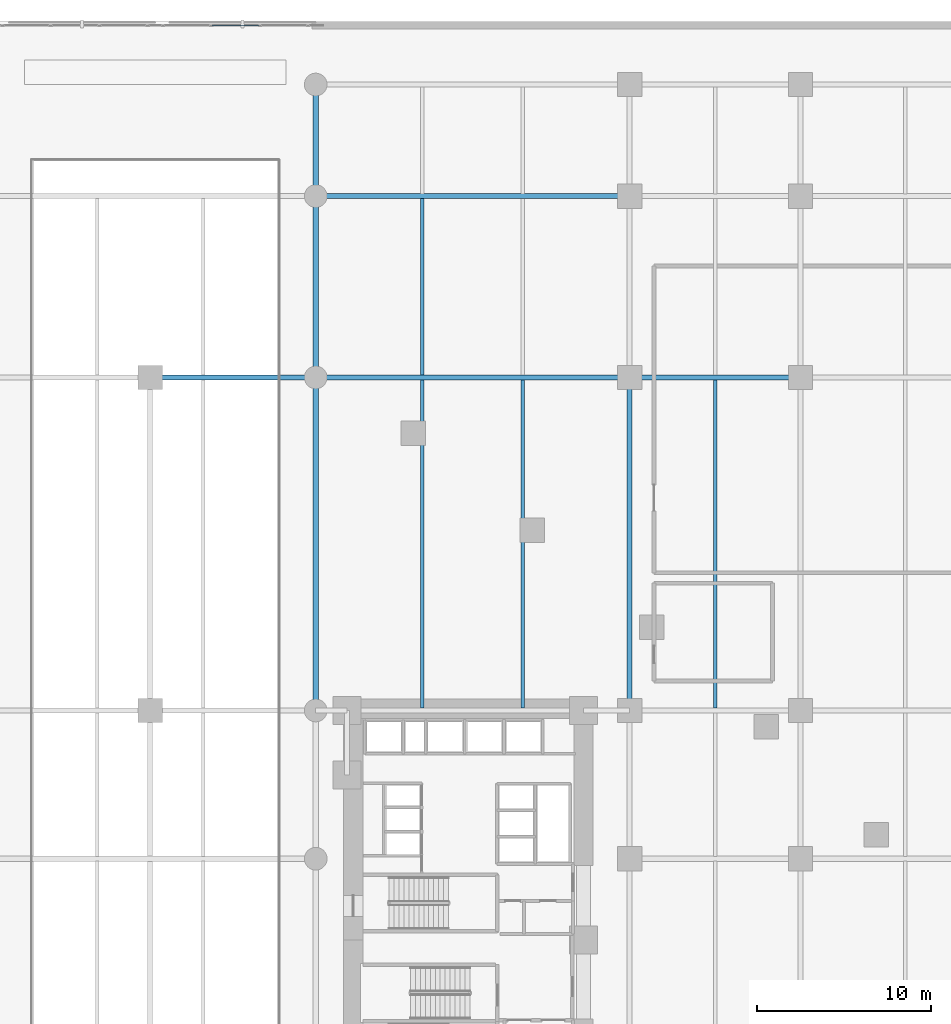
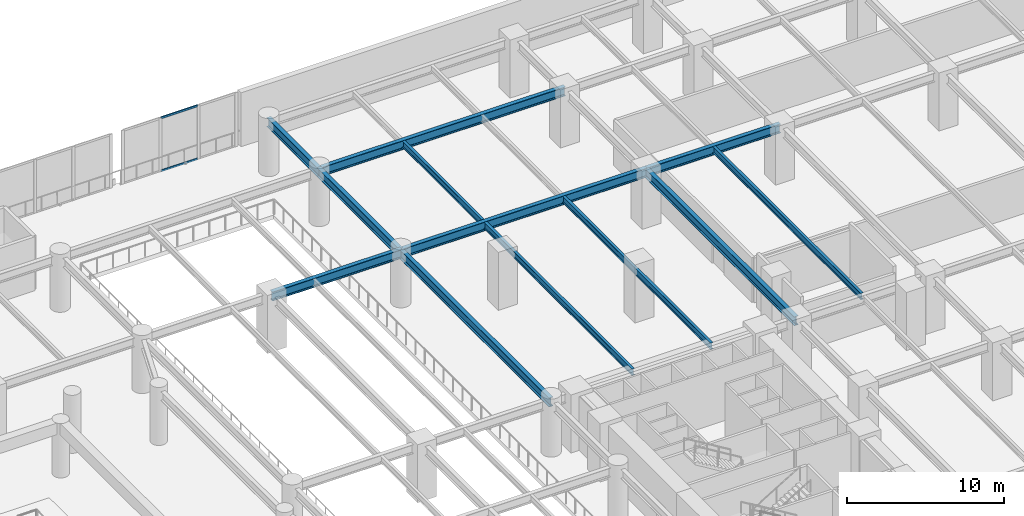
# One storey, part 8 of 32: 12 beams, 2 members, 1 element without a shape of its own.
"""IFC4 building model written with IfcOpenShell, lengths in metres."""

from ifc_helpers import new_model, si_unit, direction, frame, origin, origin_2d, place, context, subcontext, project, spatial, hollow_rectangle, i_section, extrude, material, material_profile, profile_set, type_object, element, aggregate, save


model = new_model("IFC4")

# Units and contexts
model_context = context("Model", 3, precision=1e-05, world=origin(), true_north=direction((0.0, 1.0)))
body_context = subcontext(model_context, "Body", "Model", "MODEL_VIEW")
ifc_project = project(units=[si_unit("LENGTHUNIT", "METRE"), si_unit("AREAUNIT", "SQUARE_METRE"), si_unit("VOLUMEUNIT", "CUBIC_METRE"), si_unit("PLANEANGLEUNIT", "RADIAN"), si_unit("MASSUNIT", "GRAM", prefix="KILO")], contexts=[model_context])

# Site, building, storey
site_placement = place(None, origin())
site = spatial("IfcSite", under=ifc_project, at=site_placement, CompositionType="ELEMENT")
building_placement = place(site_placement, origin())
building = spatial("IfcBuilding", under=site, at=building_placement, Name="Narakoshi Arena Tower", CompositionType="ELEMENT")
storey_placement = place(building_placement, frame((0.0, 0.0, 4.5)))
storey = spatial("IfcBuildingStorey", under=building, at=storey_placement, Name="L01", CompositionType="ELEMENT", Elevation=4.5)

# Beams
ifc_material_1 = material(Name="Structural steel S355J2", Category="steel")
ifc_material_profile_1 = material_profile(ifc_material_1, i_section(OverallWidth=0.300048828125, OverallDepth=0.699951171875, WebThickness=0.01708984375, FlangeThickness=0.031982421875, FilletRadius=0.027099609375, at=origin_2d()), Name="HE700B")
ifc_profile_set_1 = profile_set([ifc_material_profile_1], Name="Structural steel S355J2")
beam_type_1 = type_object("IfcBeamType", Name="BM-PRI-700", PredefinedType="BEAM", material=ifc_profile_set_1)
beam_1_placement = place(storey_placement, frame((60.699951171875, 75.60009765625, 3.830078125), z_axis=(1.0, 0.0, 0.0), x_axis=(0.0, 1.0, 0.0)))
element("IfcBeam", 1, at=beam_1_placement, inside=storey, type_object=beam_type_1, Name="L01 Podium Primary X-Girder 048", PredefinedType="BEAM", context=body_context, shape_type="SweptSolid", body=[
    extrude(i_section(OverallWidth=0.300048828125, OverallDepth=0.699951171875, WebThickness=0.01708984375, FlangeThickness=0.031982421875, FilletRadius=0.027099609375, at=origin_2d()), origin(), (0.0, 0.0, 1.0), 9.5),
])
beam_2_placement = place(storey_placement, frame((70.199951171875, 75.60009765625, 3.830078125), z_axis=(1.0, 0.0, 0.0), x_axis=(0.0, 1.0, 0.0)))
element("IfcBeam", 2, at=beam_2_placement, inside=storey, type_object=beam_type_1, Name="L01 Podium Primary X-Girder 049", PredefinedType="BEAM", context=body_context, shape_type="SweptSolid", body=[
    extrude(i_section(OverallWidth=0.300048828125, OverallDepth=0.699951171875, WebThickness=0.01708984375, FlangeThickness=0.031982421875, FilletRadius=0.027099609375, at=origin_2d()), origin(), (0.0, 0.0, 1.0), 18.0),
])
beam_3_placement = place(storey_placement, frame((88.199951171875, 75.60009765625, 3.830078125), z_axis=(1.0, 0.0, 0.0), x_axis=(0.0, 1.0, 0.0)))
element("IfcBeam", 3, at=beam_3_placement, inside=storey, type_object=beam_type_1, Name="L01 Podium Primary X-Girder 050", PredefinedType="BEAM", context=body_context, shape_type="SweptSolid", body=[
    extrude(i_section(OverallWidth=0.300048828125, OverallDepth=0.699951171875, WebThickness=0.01708984375, FlangeThickness=0.031982421875, FilletRadius=0.027099609375, at=origin_2d()), origin(), (0.0, 0.0, 1.0), 9.800048828125),
])
beam_4_placement = place(storey_placement, frame((70.199951171875, 86.0, 3.830078125), z_axis=(1.0, 0.0, 0.0), x_axis=(0.0, 1.0, 0.0)))
element("IfcBeam", 4, at=beam_4_placement, inside=storey, type_object=beam_type_1, Name="L01 Podium Primary X-Girder 058", PredefinedType="BEAM", context=body_context, shape_type="SweptSolid", body=[
    extrude(i_section(OverallWidth=0.300048828125, OverallDepth=0.699951171875, WebThickness=0.01708984375, FlangeThickness=0.031982421875, FilletRadius=0.027099609375, at=origin_2d()), origin(), (0.0, 0.0, 1.0), 18.0),
])
beam_5_placement = place(storey_placement, frame((70.199951171875, 56.5, 3.830078125), z_axis=(0.0, 1.0, 0.0), x_axis=(-1.0, 0.0, 0.0)))
element("IfcBeam", 5, at=beam_5_placement, inside=storey, type_object=beam_type_1, Name="L01 Podium Primary Y-Girder 094", PredefinedType="BEAM", context=body_context, shape_type="SweptSolid", body=[
    extrude(i_section(OverallWidth=0.300048828125, OverallDepth=0.699951171875, WebThickness=0.01708984375, FlangeThickness=0.031982421875, FilletRadius=0.027099609375, at=origin_2d()), origin(), (0.0, 0.0, 1.0), 19.10009765625),
])
beam_6_placement = place(storey_placement, frame((70.199951171875, 75.60009765625, 3.830078125), z_axis=(0.0, 1.0, 0.0), x_axis=(-1.0, 0.0, 0.0)))
element("IfcBeam", 6, at=beam_6_placement, inside=storey, type_object=beam_type_1, Name="L01 Podium Primary Y-Girder 095", PredefinedType="BEAM", context=body_context, shape_type="SweptSolid", body=[
    extrude(i_section(OverallWidth=0.300048828125, OverallDepth=0.699951171875, WebThickness=0.01708984375, FlangeThickness=0.031982421875, FilletRadius=0.027099609375, at=origin_2d()), origin(), (0.0, 0.0, 1.0), 10.39990234375),
])
beam_7_placement = place(storey_placement, frame((70.199951171875, 86.0, 3.830078125), z_axis=(0.0, 1.0, 0.0), x_axis=(-1.0, 0.0, 0.0)))
element("IfcBeam", 7, at=beam_7_placement, inside=storey, type_object=beam_type_1, Name="L01 Podium Primary Y-Girder 096", PredefinedType="BEAM", context=body_context, shape_type="SweptSolid", body=[
    extrude(i_section(OverallWidth=0.300048828125, OverallDepth=0.699951171875, WebThickness=0.01708984375, FlangeThickness=0.031982421875, FilletRadius=0.027099609375, at=origin_2d()), origin(), (0.0, 0.0, 1.0), 6.39990234375),
])
beam_8_placement = place(storey_placement, frame((88.199951171875, 56.5, 3.830078125), z_axis=(0.0, 1.0, 0.0), x_axis=(-1.0, 0.0, 0.0)))
element("IfcBeam", 8, at=beam_8_placement, inside=storey, type_object=beam_type_1, Name="L01 Podium Primary Y-Girder 103", PredefinedType="BEAM", context=body_context, shape_type="SweptSolid", body=[
    extrude(i_section(OverallWidth=0.300048828125, OverallDepth=0.699951171875, WebThickness=0.01708984375, FlangeThickness=0.031982421875, FilletRadius=0.027099609375, at=origin_2d()), origin(), (0.0, 0.0, 1.0), 19.10009765625),
])
ifc_material_profile_2 = material_profile(ifc_material_1, i_section(OverallWidth=0.199951171875, OverallDepth=0.5, WebThickness=0.01025390625, FlangeThickness=0.01611328125, FilletRadius=0.02099609375, at=origin_2d()), Name="IPE500")
ifc_profile_set_2 = profile_set([ifc_material_profile_2], Name="Structural steel S355J2")
beam_type_2 = type_object("IfcBeamType", Name="BM-SEC-500", PredefinedType="JOIST", material=ifc_profile_set_2)
beam_9_placement = place(storey_placement, frame((76.320068359375, 56.635009765625, 3.929931640625), z_axis=(0.0, 1.0, 0.0), x_axis=(-1.0, 0.0, 0.0)))
element("IfcBeam", 9, at=beam_9_placement, inside=storey, type_object=beam_type_2, Name="L01 Podium Composite Floor Joist 023", PredefinedType="JOIST", context=body_context, shape_type="SweptSolid", body=[
    extrude(i_section(OverallWidth=0.199951171875, OverallDepth=0.5, WebThickness=0.01025390625, FlangeThickness=0.01611328125, FilletRadius=0.02099609375, at=origin_2d()), origin(), (0.0, 0.0, 1.0), 18.830078125),
])
beam_10_placement = place(storey_placement, frame((76.320068359375, 75.735107421875, 3.929931640625), z_axis=(0.0, 1.0, 0.0), x_axis=(-1.0, 0.0, 0.0)))
element("IfcBeam", 10, at=beam_10_placement, inside=storey, type_object=beam_type_2, Name="L01 Podium Composite Floor Joist 024", PredefinedType="JOIST", context=body_context, shape_type="SweptSolid", body=[
    extrude(i_section(OverallWidth=0.199951171875, OverallDepth=0.5, WebThickness=0.01025390625, FlangeThickness=0.01611328125, FilletRadius=0.02099609375, at=origin_2d()), origin(), (0.0, 0.0, 1.0), 10.1298828125),
])
for number, where, z_axis, x_axis, name in (
    (11, (82.080078125, 56.635009765625, 3.929931640625), (0.0, 1.0, 0.0), (-1.0, 0.0, 0.0), "L01 Podium Composite Floor Joist 028"),
    (12, (93.10009765625, 56.635009765625, 3.929931640625), (0.0, 1.0, 0.0), (-1.0, 0.0, 0.0), "L01 Podium Composite Floor Joist 036"),
):
    element("IfcBeam", number, at=place(storey_placement, frame(where, z_axis=z_axis, x_axis=x_axis)), inside=storey, type_object=beam_type_2, Name=name, PredefinedType="JOIST", context=body_context, shape_type="SweptSolid", body=[
        extrude(i_section(OverallWidth=0.199951171875, OverallDepth=0.5, WebThickness=0.01025390625, FlangeThickness=0.01611328125, FilletRadius=0.02099609375, at=origin_2d()), origin(), (0.0, 0.0, 1.0), 18.830078125),
    ])

# Curtain wall, members
ifc_material_2 = material(Name="Anodised bronze aluminium 6063-T6", Category="aluminium")
curtain_wall_type = type_object("IfcCurtainWallType", Name="CW-POD-CONC", PredefinedType="NOTDEFINED", material=ifc_material_2)
curtain_wall_placement = place(storey_placement, origin())
curtain_wall = element("IfcCurtainWall", 13, at=curtain_wall_placement, inside=storey, type_object=curtain_wall_type, Name="L01 Street Concourse Curtain Wall CN1", PredefinedType="NOTDEFINED")
ifc_material_profile_3 = material_profile(ifc_material_2, hollow_rectangle(XDim=0.070068359375, YDim=0.159912109375, WallThickness=0.00390625, OuterFilletRadius=0.0048828125, at=origin_2d()), Name="TRN160x70x4")
ifc_profile_set_3 = profile_set([ifc_material_profile_3], Name="Anodised bronze aluminium 6063-T6")
member_type = type_object("IfcMemberType", Name="MEM-TRN-160", PredefinedType="USERDEFINED", material=ifc_profile_set_3)
member_1_placement = place(storey_placement, frame((66.9599609375, 95.7900390625, 0.034912109375), z_axis=(-1.0, 0.0, 0.0), x_axis=(0.0, -1.0, 0.0)))
member_1 = element("IfcMember", 14, at=member_1_placement, type_object=member_type, Name="CW-04 transom 2.1", ObjectType="TRANSOM", PredefinedType="USERDEFINED", context=body_context, shape_type="SweptSolid", body=[
    extrude(hollow_rectangle(XDim=0.070068359375, YDim=0.159912109375, WallThickness=0.00390625, OuterFilletRadius=0.0048828125, at=origin_2d()), origin(), (0.0, 0.0, 1.0), 2.719970703125),
])
member_2_placement = place(storey_placement, frame((66.9599609375, 95.7900390625, 4.14501953125), z_axis=(-1.0, 0.0, 0.0), x_axis=(0.0, -1.0, 0.0)))
member_2 = element("IfcMember", 15, at=member_2_placement, type_object=member_type, Name="CW-04 transom 2.2", ObjectType="TRANSOM", PredefinedType="USERDEFINED", context=body_context, shape_type="SweptSolid", body=[
    extrude(hollow_rectangle(XDim=0.070068359375, YDim=0.159912109375, WallThickness=0.00390625, OuterFilletRadius=0.0048828125, at=origin_2d()), origin(), (0.0, 0.0, 1.0), 2.719970703125),
])
aggregate(curtain_wall, [member_1, member_2])

save(model, "model.ifc")
